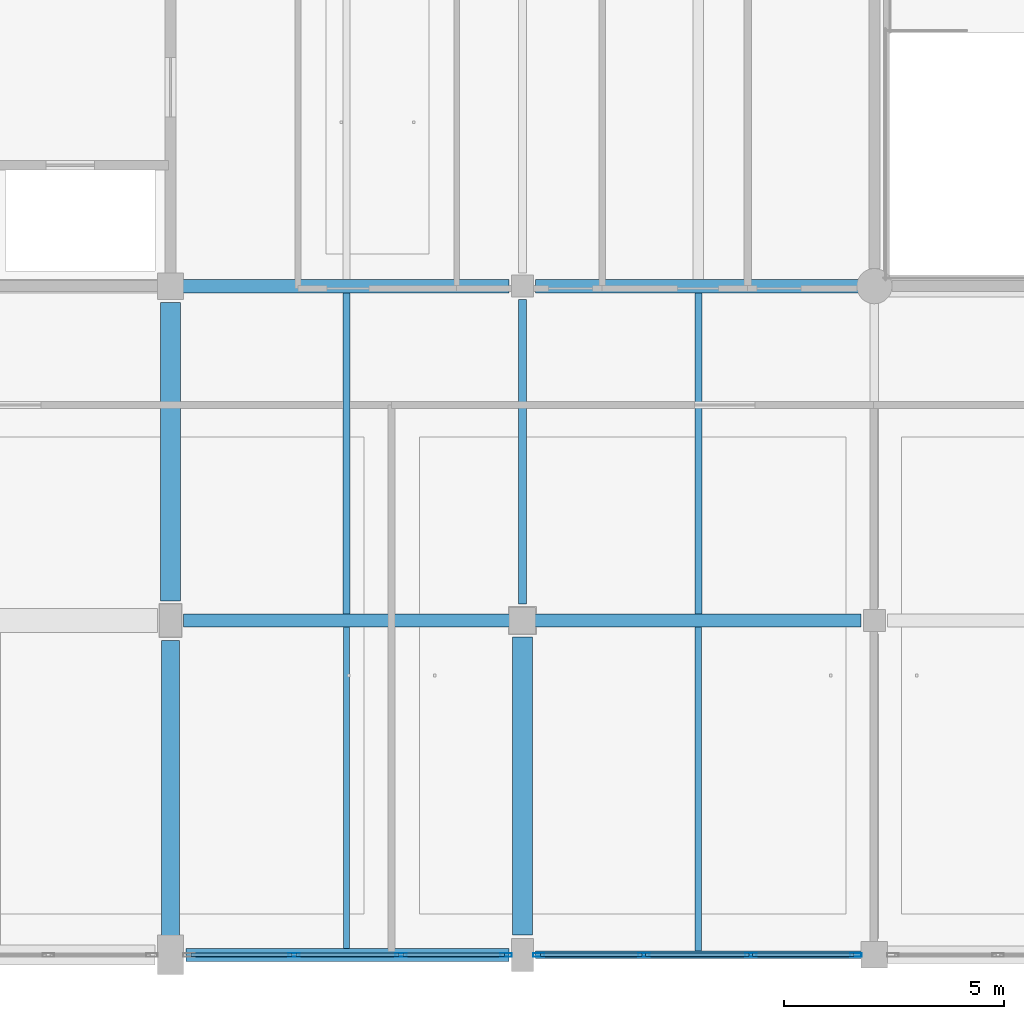
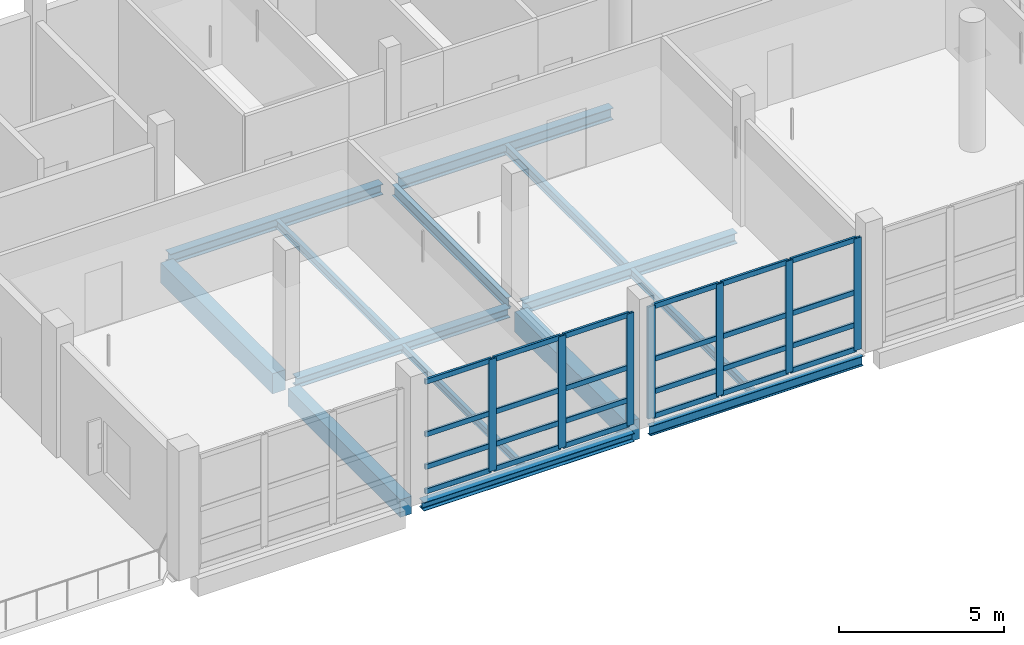
# One storey, part 3 of 18: 31 members, 14 beams, 2 elements without a shape of their own.
"""IFC4 building model written with IfcOpenShell, lengths in metres."""

import ifcopenshell
import ifcopenshell.guid

model = None  # the IFC model being written
_history = None  # IfcOwnerHistory: only IFC2X3 demands one
_inside = {}  # id of a spatial element -> (the spatial element, [elements in it])
_under = {}  # id of a project, library or spatial element -> (it, [spatial elements below it])
_declared = {}  # id of a project -> (the project, [libraries it declares])
_typed = {}  # id of a type object -> (the type object, [elements of that type])
_made_of = {}  # id of a material, layer set ... -> (it, [elements and type objects made of it])


def new_model(schema):
    """Start an empty IFC model of exactly this schema.

    Asked for "IFC4X3", IfcOpenShell would pick the latest addendum, in which some entities
    have other attributes; the version numbers below select the first issue.
    IFC2X3 requires an IfcOwnerHistory on every rooted entity: one is made here for all.
    """
    global model, _history
    if schema == "IFC4X3":
        model = ifcopenshell.file(schema_version=(4, 3, 0, 0))
    else:
        model = ifcopenshell.file(schema=schema)
    _inside.clear()
    _under.clear()
    _declared.clear()
    _typed.clear()
    _made_of.clear()
    _history = None
    if model.schema == "IFC2X3":
        org = make("IfcOrganization", Name="unknown")
        user = make(
            "IfcPersonAndOrganization",
            ThePerson=make("IfcPerson", FamilyName="unknown"),
            TheOrganization=org,
        )
        app = make(
            "IfcApplication",
            ApplicationDeveloper=org,
            Version="unknown",
            ApplicationFullName="unknown",
            ApplicationIdentifier="unknown",
        )
        _history = make(
            "IfcOwnerHistory",
            OwningUser=user,
            OwningApplication=app,
            ChangeAction="ADDED",
            CreationDate=0,
        )
    return model


def make(cls, **values):
    """One entity of the class cls with the attributes given. An attribute that is None is left unset."""
    return model.create_entity(
        cls, **{name: value for name, value in values.items() if value is not None}
    )


def rooted(cls, **values):
    """An entity with a GlobalId (a new one), such as an element, a storey or a relation."""
    return make(cls, GlobalId=ifcopenshell.guid.new(), OwnerHistory=_history, **values)


def si_unit(unit_type, name, prefix=None):
    """IfcSIUnit, for example si_unit("LENGTHUNIT", "METRE", prefix="MILLI")."""
    return make("IfcSIUnit", UnitType=unit_type, Prefix=prefix, Name=name)


def assignment(units):
    """IfcUnitAssignment: the units of a project."""
    return None if units is None else make("IfcUnitAssignment", Units=units)


def point(xyz):
    """IfcCartesianPoint."""
    return None if xyz is None else make("IfcCartesianPoint", Coordinates=xyz)


def direction(xyz):
    """IfcDirection."""
    return None if xyz is None else make("IfcDirection", DirectionRatios=xyz)


def frame(location, z_axis=None, x_axis=None):
    """IfcAxis2Placement3D, a coordinate frame: its origin and axes. An axis left out is left unset."""
    return make(
        "IfcAxis2Placement3D",
        Location=point(location),
        Axis=direction(z_axis),
        RefDirection=direction(x_axis),
    )


def frame_2d(location, x_axis=None):
    """IfcAxis2Placement2D, a coordinate frame in the plane: its origin and x axis."""
    return make(
        "IfcAxis2Placement2D", Location=point(location), RefDirection=direction(x_axis)
    )


def origin():
    """The frame at (0, 0, 0) with its axes left unset."""
    return frame((0.0, 0.0, 0.0))


def origin_2d():
    """The frame at (0, 0) in the plane with its x axis left unset."""
    return frame_2d((0.0, 0.0))


def place(relative_to, where):
    """IfcLocalPlacement: puts the frame where relative to a parent placement (None: the world)."""
    return make(
        "IfcLocalPlacement", PlacementRelTo=relative_to, RelativePlacement=where
    )


def context(
    kind, dimensions, precision=None, world=None, true_north=None, identifier=None
):
    """IfcGeometricRepresentationContext, for example the 3D "Model" context."""
    return make(
        "IfcGeometricRepresentationContext",
        ContextIdentifier=identifier,
        ContextType=kind,
        CoordinateSpaceDimension=dimensions,
        Precision=precision,
        WorldCoordinateSystem=world,
        TrueNorth=true_north,
    )


def subcontext(parent, identifier, kind, view, scale=None):
    """IfcGeometricRepresentationSubContext, for example "Body" below "Model"."""
    return make(
        "IfcGeometricRepresentationSubContext",
        ContextIdentifier=identifier,
        ContextType=kind,
        ParentContext=parent,
        TargetScale=scale,
        TargetView=view,
    )


def project(units=None, contexts=None):
    """IfcProject with its units and contexts."""
    return rooted(
        "IfcProject",
        Name="project",
        RepresentationContexts=contexts,
        UnitsInContext=assignment(units),
    )


def spatial(cls, under=None, at=None, **own):
    """A site, building, storey or space (cls), placed at a placement, below another one or the project."""
    s = rooted(cls, ObjectPlacement=at, **own)
    if under is not None:
        _under.setdefault(under.id(), (under, []))[1].append(s)
    return s


def profile(cls, at=None, kind="AREA", **sizes):
    """A parametric profile (cls). Its sizes go by their IFC names, for example OverallWidth=200.0."""
    return make(cls, ProfileType=kind, Position=at, **sizes)


def rectangle(**sizes):
    """IfcRectangleProfileDef."""
    return profile("IfcRectangleProfileDef", **sizes)


def hollow_rectangle(**sizes):
    """IfcRectangleHollowProfileDef."""
    return profile("IfcRectangleHollowProfileDef", **sizes)


def i_section(**sizes):
    """IfcIShapeProfileDef."""
    return profile("IfcIShapeProfileDef", **sizes)


def extrude(swept, where, along, depth):
    """IfcExtrudedAreaSolid: the profile swept, set in the frame where, extruded along a direction by depth."""
    return make(
        "IfcExtrudedAreaSolid",
        SweptArea=swept,
        Position=where,
        ExtrudedDirection=direction(along),
        Depth=depth,
    )


def shape(context_of_items, identifier, shape_type, items):
    """IfcShapeRepresentation: the items that make up one representation, for example the "Body"."""
    return make(
        "IfcShapeRepresentation",
        ContextOfItems=context_of_items,
        RepresentationIdentifier=identifier,
        RepresentationType=shape_type,
        Items=items,
    )


def material(Name=None, Category=None):
    """IfcMaterial."""
    return make("IfcMaterial", Name=Name, Category=Category)


def material_profile(
    of_material, cross_section, Name=None, Category=None, Priority=None
):
    """IfcMaterialProfile: a cross section and its material."""
    return make(
        "IfcMaterialProfile",
        Name=Name,
        Material=of_material,
        Profile=cross_section,
        Priority=Priority,
        Category=Category,
    )


def profile_set(profiles, Name=None, composite=None):
    """IfcMaterialProfileSet."""
    return make(
        "IfcMaterialProfileSet",
        Name=Name,
        MaterialProfiles=profiles,
        CompositeProfile=composite,
    )


def made_of(thing, what):
    """Note that an element or type object is made of a material, layer set ...; save() writes the relation."""
    if what is not None:
        _made_of.setdefault(what.id(), (what, []))[1].append(thing)
    return thing


def type_object(cls, material=None, **own):
    """A type object (cls), such as IfcWallType, which elements share."""
    return made_of(rooted(cls, **own), material)


def element(
    cls,
    number,
    at=None,
    inside=None,
    cuts=None,
    type_object=None,
    material=None,
    context=None,
    identifier="Body",
    shape_type=None,
    held_by="IfcProductDefinitionShape",
    body=None,
    shapes=None,
    **own,
):
    """One element of the class cls, such as IfcWall. Its Tag is "e" and its number.

    at: its placement. inside: the storey or other place that contains it. cuts: it is an
    opening in that element (IfcRelVoidsElement). A single representation is given by context,
    identifier, shape_type and body (its items); several are given by shapes. held_by: the class
    of the entity that holds the representations. save() writes the other relations.
    """
    e = rooted(cls, Tag="e%d" % number, ObjectPlacement=at, **own)
    if body is not None:
        shapes = [shape(context, identifier, shape_type, body)]
    if shapes is not None:
        e.Representation = make(held_by, Representations=shapes)
    if inside is not None:
        _inside.setdefault(inside.id(), (inside, []))[1].append(e)
    if cuts is not None:
        rooted(
            "IfcRelVoidsElement", RelatingBuildingElement=cuts, RelatedOpeningElement=e
        )
    if type_object is not None:
        _typed.setdefault(type_object.id(), (type_object, []))[1].append(e)
    return made_of(e, material)


def aggregate(whole, parts):
    """IfcRelAggregates: a whole, such as a stair, and the parts it consists of."""
    return rooted("IfcRelAggregates", RelatingObject=whole, RelatedObjects=parts)


def save(model, path):
    """Write the relations noted so far, then the file.

    IfcRelAggregates (storeys below a building ...), IfcRelContainedInSpatialStructure (elements
    in a storey), IfcRelDefinesByType, IfcRelAssociatesMaterial and IfcRelDeclares: one each for
    every whole, place, type object, material and project.
    """
    for whole, parts in _under.values():
        aggregate(whole, parts)
    for where, things in _inside.values():
        rooted(
            "IfcRelContainedInSpatialStructure",
            RelatedElements=things,
            RelatingStructure=where,
        )
    for kind, things in _typed.values():
        rooted("IfcRelDefinesByType", RelatedObjects=things, RelatingType=kind)
    for what, things in _made_of.values():
        rooted("IfcRelAssociatesMaterial", RelatedObjects=things, RelatingMaterial=what)
    for by, libraries in _declared.values():
        rooted("IfcRelDeclares", RelatingContext=by, RelatedDefinitions=libraries)
    model.write(path)


model = new_model("IFC4")

# Units and contexts
model_context = context("Model", 3, precision=1e-05, world=origin(), true_north=direction((0.0, 1.0)))
body_context = subcontext(model_context, "Body", "Model", "MODEL_VIEW")
ifc_project = project(units=[si_unit("LENGTHUNIT", "METRE"), si_unit("AREAUNIT", "SQUARE_METRE"), si_unit("VOLUMEUNIT", "CUBIC_METRE"), si_unit("PLANEANGLEUNIT", "RADIAN"), si_unit("MASSUNIT", "GRAM", prefix="KILO")], contexts=[model_context])

# Site, building, storey
site_placement = place(None, origin())
site = spatial("IfcSite", under=ifc_project, at=site_placement, CompositionType="ELEMENT")
building_placement = place(site_placement, origin())
building = spatial("IfcBuilding", under=site, at=building_placement, Name="Khelvaren Railside Concert Hall", CompositionType="ELEMENT")
storey_placement = place(building_placement, frame((0.0, 0.0, 24.60009765625)))
storey = spatial("IfcBuildingStorey", under=building, at=storey_placement, Name="L05", CompositionType="ELEMENT", Elevation=24.60009765625)

# Beams
ifc_material_1 = material(Name="Steel S355", Category="steel")
ifc_material_profile_1 = material_profile(ifc_material_1, i_section(OverallWidth=0.300048828125, OverallDepth=0.389892578125, WebThickness=0.010986328125, FlangeThickness=0.01904296875, FilletRadius=0.027099609375, at=origin_2d()), Name="HEA 400")
ifc_profile_set_1 = profile_set([ifc_material_profile_1], Name="Steel S355")
beam_type_1 = type_object("IfcBeamType", Name="BM23", PredefinedType="BEAM", material=ifc_profile_set_1)
for number, where, z_axis, x_axis, name in (
    (1, (160.25, 98.800048828125, -0.455078125), (1.0, 0.0, 0.0), (0.0, 1.0, 0.0), "V5 L05 Beam X3.5"),
    (2, (152.25, 106.39990234375, -0.455078125), (1.0, 0.0, 0.0), (0.0, 1.0, 0.0), "V5 L05 Beam X4.4"),
):
    element("IfcBeam", number, at=place(storey_placement, frame(where, z_axis=z_axis, x_axis=x_axis)), inside=storey, type_object=beam_type_1, Name=name, PredefinedType="BEAM", context=body_context, shape_type="SweptSolid", body=[
        extrude(i_section(OverallWidth=0.300048828125, OverallDepth=0.389892578125, WebThickness=0.010986328125, FlangeThickness=0.01904296875, FilletRadius=0.027099609375, at=origin_2d()), origin(), (0.0, 0.0, 1.0), 7.449951171875),
    ])
ifc_material_profile_2 = material_profile(ifc_material_1, i_section(OverallWidth=0.179931640625, OverallDepth=0.39990234375, WebThickness=0.008544921875, FlangeThickness=0.013427734375, FilletRadius=0.02099609375, at=origin_2d()), Name="IPE 400")
ifc_profile_set_2 = profile_set([ifc_material_profile_2], Name="Steel S355")
beam_type_2 = type_object("IfcBeamType", Name="BM29", PredefinedType="BEAM", material=ifc_profile_set_2)
beam_1_placement = place(storey_placement, frame((160.0, 99.175048828125, -0.460205078125), z_axis=(0.0, 1.0, 0.0), x_axis=(-1.0, 0.0, 0.0)))
element("IfcBeam", 3, at=beam_1_placement, inside=storey, type_object=beam_type_2, Name="V5 L05 Beam Y5.3", PredefinedType="BEAM", context=body_context, shape_type="SweptSolid", body=[
    extrude(i_section(OverallWidth=0.179931640625, OverallDepth=0.39990234375, WebThickness=0.008544921875, FlangeThickness=0.013427734375, FilletRadius=0.02099609375, at=origin_2d()), origin(), (0.0, 0.0, 1.0), 6.925048828125),
])
ifc_material_2 = material(Name="Concrete C40/50", Category="concrete")
ifc_material_profile_3 = material_profile(ifc_material_2, rectangle(XDim=0.39990234375, YDim=0.64990234375, at=origin_2d()), Name="RCB 400x650")
ifc_profile_set_3 = profile_set([ifc_material_profile_3], Name="Concrete C40/50")
beam_type_3 = type_object("IfcBeamType", Name="BM33", PredefinedType="BEAM", material=ifc_profile_set_3)
beam_2_placement = place(storey_placement, frame((152.0, 91.550048828125, -0.585205078125), z_axis=(0.0, 1.0, 0.0), x_axis=(-1.0, 0.0, 0.0)))
element("IfcBeam", 4, at=beam_2_placement, inside=storey, type_object=beam_type_3, Name="V5 L05 Beam Y4.2", PredefinedType="BEAM", context=body_context, shape_type="SweptSolid", body=[
    extrude(rectangle(XDim=0.39990234375, YDim=0.64990234375, at=origin_2d()), origin(), (0.0, 0.0, 1.0), 6.800048828125),
])
ifc_material_profile_4 = material_profile(ifc_material_1, i_section(OverallWidth=0.300048828125, OverallDepth=0.35009765625, WebThickness=0.010009765625, FlangeThickness=0.017578125, FilletRadius=0.027099609375, at=origin_2d()), Name="HEA 360")
ifc_profile_set_4 = profile_set([ifc_material_profile_4], Name="Steel S355")
beam_type_4 = type_object("IfcBeamType", Name="BM73", PredefinedType="BEAM", material=ifc_profile_set_4)
beam_3_placement = place(storey_placement, frame((152.300048828125, 98.800048828125, -0.43505859375), z_axis=(1.0, 0.0, 0.0), x_axis=(0.0, 1.0, 0.0)))
element("IfcBeam", 5, at=beam_3_placement, inside=storey, type_object=beam_type_4, Name="V5 L05 Beam X3.4", PredefinedType="BEAM", context=body_context, shape_type="SweptSolid", body=[
    extrude(i_section(OverallWidth=0.300048828125, OverallDepth=0.35009765625, WebThickness=0.010009765625, FlangeThickness=0.017578125, FilletRadius=0.027099609375, at=origin_2d()), origin(), (0.0, 0.0, 1.0), 7.449951171875),
])
ifc_material_profile_5 = material_profile(ifc_material_2, rectangle(XDim=0.449951171875, YDim=0.75, at=origin_2d()), Name="RCB 450x750")
ifc_profile_set_5 = profile_set([ifc_material_profile_5], Name="Concrete C40/50")
beam_type_5 = type_object("IfcBeamType", Name="BM83", PredefinedType="BEAM", material=ifc_profile_set_5)
beam_4_placement = place(storey_placement, frame((152.0, 99.25, -0.635009765625), z_axis=(0.0, 1.0, 0.0), x_axis=(-1.0, 0.0, 0.0)))
element("IfcBeam", 6, at=beam_4_placement, inside=storey, type_object=beam_type_5, Name="V5 L05 Beam Y4.3", PredefinedType="BEAM", context=body_context, shape_type="SweptSolid", body=[
    extrude(rectangle(XDim=0.449951171875, YDim=0.75, at=origin_2d()), origin(), (0.0, 0.0, 1.0), 6.77490234375),
])
beam_5_placement = place(storey_placement, frame((160.0, 91.64990234375, -0.635009765625), z_axis=(0.0, 1.0, 0.0), x_axis=(-1.0, 0.0, 0.0)))
element("IfcBeam", 7, at=beam_5_placement, inside=storey, type_object=beam_type_5, Name="V5 L05 Beam Y5.2", PredefinedType="BEAM", context=body_context, shape_type="SweptSolid", body=[
    extrude(rectangle(XDim=0.449951171875, YDim=0.75, at=origin_2d()), origin(), (0.0, 0.0, 1.0), 6.775146484375),
])
ifc_material_profile_6 = material_profile(ifc_material_1, i_section(OverallWidth=0.300048828125, OverallDepth=0.43994140625, WebThickness=0.011474609375, FlangeThickness=0.02099609375, FilletRadius=0.027099609375, at=origin_2d()), Name="HEA 450")
ifc_profile_set_6 = profile_set([ifc_material_profile_6], Name="Steel S355")
beam_type_6 = type_object("IfcBeamType", Name="BM89", PredefinedType="BEAM", material=ifc_profile_set_6)
beam_6_placement = place(storey_placement, frame((160.300048828125, 106.39990234375, -0.47998046875), z_axis=(1.0, 0.0, 0.0), x_axis=(0.0, 1.0, 0.0)))
element("IfcBeam", 8, at=beam_6_placement, inside=storey, type_object=beam_type_6, Name="V5 L05 Beam X4.5", PredefinedType="BEAM", context=body_context, shape_type="SweptSolid", body=[
    extrude(i_section(OverallWidth=0.300048828125, OverallDepth=0.43994140625, WebThickness=0.011474609375, FlangeThickness=0.02099609375, FilletRadius=0.027099609375, at=origin_2d()), origin(), (0.0, 0.0, 1.0), 7.449951171875),
])

# Curtain wall, members
ifc_material_3 = material(Name="Acoustic laminated crystal facade glass", Category="glass")
curtain_wall_type_1 = type_object("IfcCurtainWallType", Name="CW66", PredefinedType="USERDEFINED", material=ifc_material_3)
curtain_wall_1_placement = place(storey_placement, origin())
curtain_wall_1 = element("IfcCurtainWall", 9, at=curtain_wall_1_placement, inside=storey, type_object=curtain_wall_type_1, Name="Unitised Curtain Wall CW-V5-L05-S-152", ObjectType="UNITISED CURTAIN WALL", PredefinedType="USERDEFINED")
ifc_material_4 = material(Name="Anodised architectural aluminium 6063-T6", Category="aluminium")
ifc_material_profile_7 = material_profile(ifc_material_4, hollow_rectangle(XDim=0.0849609375, YDim=0.260009765625, WallThickness=0.0048828125, InnerFilletRadius=0.0029296875, OuterFilletRadius=0.0048828125, at=origin_2d()), Name="CWM 85x260x5")
ifc_profile_set_7 = profile_set([ifc_material_profile_7], Name="Anodised architectural aluminium 6063-T6")
member_type_1 = type_object("IfcMemberType", Name="CWM40", PredefinedType="MULLION", material=ifc_profile_set_7)
member_1_placement = place(storey_placement, frame((159.6298828125, 91.199951171875, 0.0), z_axis=(0.0, 0.0, 1.0), x_axis=(0.0, -1.0, 0.0)))
member_1 = element("IfcMember", 10, at=member_1_placement, type_object=member_type_1, Name="CW66 mullion 1", PredefinedType="MULLION", context=body_context, shape_type="SweptSolid", body=[
    extrude(hollow_rectangle(XDim=0.0849609375, YDim=0.260009765625, WallThickness=0.0048828125, InnerFilletRadius=0.0029296875, OuterFilletRadius=0.0048828125, at=origin_2d()), origin(), (0.0, 0.0, 1.0), 4.139892578125),
])
member_2_placement = place(storey_placement, frame((157.24072265625, 91.199951171875, 0.0), z_axis=(0.0, 0.0, 1.0), x_axis=(0.0, -1.0, 0.0)))
member_2 = element("IfcMember", 11, at=member_2_placement, type_object=member_type_1, Name="CW66 mullion 2", PredefinedType="MULLION", context=body_context, shape_type="SweptSolid", body=[
    extrude(hollow_rectangle(XDim=0.0849609375, YDim=0.260009765625, WallThickness=0.0048828125, InnerFilletRadius=0.0029296875, OuterFilletRadius=0.0048828125, at=origin_2d()), origin(), (0.0, 0.0, 1.0), 4.139892578125),
])
member_3_placement = place(storey_placement, frame((154.80908203125, 91.199951171875, 0.0), z_axis=(0.0, 0.0, 1.0), x_axis=(0.0, -1.0, 0.0)))
member_3 = element("IfcMember", 12, at=member_3_placement, type_object=member_type_1, Name="CW66 mullion 3", PredefinedType="MULLION", context=body_context, shape_type="SweptSolid", body=[
    extrude(hollow_rectangle(XDim=0.0849609375, YDim=0.260009765625, WallThickness=0.0048828125, InnerFilletRadius=0.0029296875, OuterFilletRadius=0.0048828125, at=origin_2d()), origin(), (0.0, 0.0, 1.0), 4.139892578125),
])

curtain_wall_type_2 = type_object("IfcCurtainWallType", Name="CW21", PredefinedType="USERDEFINED", material=ifc_material_3)
curtain_wall_2_placement = place(storey_placement, origin())
curtain_wall_2 = element("IfcCurtainWall", 13, at=curtain_wall_2_placement, inside=storey, type_object=curtain_wall_type_2, Name="Unitised Curtain Wall CW-V5-L05-S-160", ObjectType="UNITISED CURTAIN WALL", PredefinedType="USERDEFINED")
member_4_placement = place(storey_placement, frame((167.580078125, 91.199951171875, 0.0), z_axis=(0.0, 0.0, 1.0), x_axis=(0.0, -1.0, 0.0)))
member_4 = element("IfcMember", 14, at=member_4_placement, type_object=member_type_1, Name="CW21 mullion 1", PredefinedType="MULLION", context=body_context, shape_type="SweptSolid", body=[
    extrude(hollow_rectangle(XDim=0.0849609375, YDim=0.260009765625, WallThickness=0.0048828125, InnerFilletRadius=0.0029296875, OuterFilletRadius=0.0048828125, at=origin_2d()), origin(), (0.0, 0.0, 1.0), 4.139892578125),
])
member_5_placement = place(storey_placement, frame((165.19091796875, 91.199951171875, 0.0), z_axis=(0.0, 0.0, 1.0), x_axis=(0.0, -1.0, 0.0)))
member_5 = element("IfcMember", 15, at=member_5_placement, type_object=member_type_1, Name="CW21 mullion 2", PredefinedType="MULLION", context=body_context, shape_type="SweptSolid", body=[
    extrude(hollow_rectangle(XDim=0.0849609375, YDim=0.260009765625, WallThickness=0.0048828125, InnerFilletRadius=0.0029296875, OuterFilletRadius=0.0048828125, at=origin_2d()), origin(), (0.0, 0.0, 1.0), 4.139892578125),
])
member_6_placement = place(storey_placement, frame((162.75927734375, 91.199951171875, 0.0), z_axis=(0.0, 0.0, 1.0), x_axis=(0.0, -1.0, 0.0)))
member_6 = element("IfcMember", 16, at=member_6_placement, type_object=member_type_1, Name="CW21 mullion 3", PredefinedType="MULLION", context=body_context, shape_type="SweptSolid", body=[
    extrude(hollow_rectangle(XDim=0.0849609375, YDim=0.260009765625, WallThickness=0.0048828125, InnerFilletRadius=0.0029296875, OuterFilletRadius=0.0048828125, at=origin_2d()), origin(), (0.0, 0.0, 1.0), 4.139892578125),
])
member_7_placement = place(storey_placement, frame((160.3701171875, 91.199951171875, 0.0), z_axis=(0.0, 0.0, 1.0), x_axis=(0.0, -1.0, 0.0)))
member_7 = element("IfcMember", 17, at=member_7_placement, type_object=member_type_1, Name="CW21 mullion 4", PredefinedType="MULLION", context=body_context, shape_type="SweptSolid", body=[
    extrude(hollow_rectangle(XDim=0.0849609375, YDim=0.260009765625, WallThickness=0.0048828125, InnerFilletRadius=0.0029296875, OuterFilletRadius=0.0048828125, at=origin_2d()), origin(), (0.0, 0.0, 1.0), 4.139892578125),
])

# Member
ifc_material_profile_8 = material_profile(ifc_material_4, hollow_rectangle(XDim=0.0849609375, YDim=0.18994140625, WallThickness=0.0048828125, InnerFilletRadius=0.0029296875, OuterFilletRadius=0.0048828125, at=origin_2d()), Name="CWT 85x190x5")
ifc_profile_set_8 = profile_set([ifc_material_profile_8], Name="Anodised architectural aluminium 6063-T6")
member_type_2 = type_object("IfcMemberType", Name="CWT31", PredefinedType="USERDEFINED", material=ifc_profile_set_8)
member_8_placement = place(storey_placement, frame((159.58740234375, 91.199951171875, 0.04248046875), z_axis=(-1.0, 0.0, 0.0), x_axis=(0.0, -1.0, 0.0)))
member_8 = element("IfcMember", 18, at=member_8_placement, type_object=member_type_2, Name="CW66 transom 1.1", ObjectType="TRANSOM", PredefinedType="USERDEFINED", context=body_context, shape_type="SweptSolid", body=[
    extrude(hollow_rectangle(XDim=0.0849609375, YDim=0.18994140625, WallThickness=0.0048828125, InnerFilletRadius=0.0029296875, OuterFilletRadius=0.0048828125, at=origin_2d()), origin(), (0.0, 0.0, 1.0), 2.303955078125),
])

member_9_placement = place(storey_placement, frame((159.58740234375, 91.199951171875, 0.949951171875), z_axis=(-1.0, 0.0, 0.0), x_axis=(0.0, -1.0, 0.0)))
member_9 = element("IfcMember", 19, at=member_9_placement, type_object=member_type_2, Name="CW66 transom 1.2", ObjectType="TRANSOM", PredefinedType="USERDEFINED", context=body_context, shape_type="SweptSolid", body=[
    extrude(hollow_rectangle(XDim=0.0849609375, YDim=0.18994140625, WallThickness=0.0048828125, InnerFilletRadius=0.0029296875, OuterFilletRadius=0.0048828125, at=origin_2d()), origin(), (0.0, 0.0, 1.0), 2.303955078125),
])

member_10_placement = place(storey_placement, frame((159.58740234375, 91.199951171875, 2.152587890625), z_axis=(-1.0, 0.0, 0.0), x_axis=(0.0, -1.0, 0.0)))
member_10 = element("IfcMember", 20, at=member_10_placement, type_object=member_type_2, Name="CW66 transom 1.3", ObjectType="TRANSOM", PredefinedType="USERDEFINED", context=body_context, shape_type="SweptSolid", body=[
    extrude(hollow_rectangle(XDim=0.0849609375, YDim=0.18994140625, WallThickness=0.0048828125, InnerFilletRadius=0.0029296875, OuterFilletRadius=0.0048828125, at=origin_2d()), origin(), (0.0, 0.0, 1.0), 2.303955078125),
])

member_11_placement = place(storey_placement, frame((159.58740234375, 91.199951171875, 4.097412109375), z_axis=(-1.0, 0.0, 0.0), x_axis=(0.0, -1.0, 0.0)))
member_11 = element("IfcMember", 21, at=member_11_placement, type_object=member_type_2, Name="CW66 transom 1.4", ObjectType="TRANSOM", PredefinedType="USERDEFINED", context=body_context, shape_type="SweptSolid", body=[
    extrude(hollow_rectangle(XDim=0.0849609375, YDim=0.18994140625, WallThickness=0.0048828125, InnerFilletRadius=0.0029296875, OuterFilletRadius=0.0048828125, at=origin_2d()), origin(), (0.0, 0.0, 1.0), 2.303955078125),
])

member_12_placement = place(storey_placement, frame((157.1982421875, 91.199951171875, 0.04248046875), z_axis=(-1.0, 0.0, 0.0), x_axis=(0.0, -1.0, 0.0)))
member_12 = element("IfcMember", 22, at=member_12_placement, type_object=member_type_2, Name="CW66 transom 2.1", ObjectType="TRANSOM", PredefinedType="USERDEFINED", context=body_context, shape_type="SweptSolid", body=[
    extrude(hollow_rectangle(XDim=0.0849609375, YDim=0.18994140625, WallThickness=0.0048828125, InnerFilletRadius=0.0029296875, OuterFilletRadius=0.0048828125, at=origin_2d()), origin(), (0.0, 0.0, 1.0), 2.3466796875),
])

member_13_placement = place(storey_placement, frame((157.1982421875, 91.199951171875, 0.949951171875), z_axis=(-1.0, 0.0, 0.0), x_axis=(0.0, -1.0, 0.0)))
member_13 = element("IfcMember", 23, at=member_13_placement, type_object=member_type_2, Name="CW66 transom 2.2", ObjectType="TRANSOM", PredefinedType="USERDEFINED", context=body_context, shape_type="SweptSolid", body=[
    extrude(hollow_rectangle(XDim=0.0849609375, YDim=0.18994140625, WallThickness=0.0048828125, InnerFilletRadius=0.0029296875, OuterFilletRadius=0.0048828125, at=origin_2d()), origin(), (0.0, 0.0, 1.0), 2.3466796875),
])

member_14_placement = place(storey_placement, frame((157.1982421875, 91.199951171875, 2.152587890625), z_axis=(-1.0, 0.0, 0.0), x_axis=(0.0, -1.0, 0.0)))
member_14 = element("IfcMember", 24, at=member_14_placement, type_object=member_type_2, Name="CW66 transom 2.3", ObjectType="TRANSOM", PredefinedType="USERDEFINED", context=body_context, shape_type="SweptSolid", body=[
    extrude(hollow_rectangle(XDim=0.0849609375, YDim=0.18994140625, WallThickness=0.0048828125, InnerFilletRadius=0.0029296875, OuterFilletRadius=0.0048828125, at=origin_2d()), origin(), (0.0, 0.0, 1.0), 2.3466796875),
])

member_15_placement = place(storey_placement, frame((157.1982421875, 91.199951171875, 4.097412109375), z_axis=(-1.0, 0.0, 0.0), x_axis=(0.0, -1.0, 0.0)))
member_15 = element("IfcMember", 25, at=member_15_placement, type_object=member_type_2, Name="CW66 transom 2.4", ObjectType="TRANSOM", PredefinedType="USERDEFINED", context=body_context, shape_type="SweptSolid", body=[
    extrude(hollow_rectangle(XDim=0.0849609375, YDim=0.18994140625, WallThickness=0.0048828125, InnerFilletRadius=0.0029296875, OuterFilletRadius=0.0048828125, at=origin_2d()), origin(), (0.0, 0.0, 1.0), 2.3466796875),
])

member_16_placement = place(storey_placement, frame((154.7666015625, 91.199951171875, 0.04248046875), z_axis=(-1.0, 0.0, 0.0), x_axis=(0.0, -1.0, 0.0)))
member_16 = element("IfcMember", 26, at=member_16_placement, type_object=member_type_2, Name="CW66 transom 3.1", ObjectType="TRANSOM", PredefinedType="USERDEFINED", context=body_context, shape_type="SweptSolid", body=[
    extrude(hollow_rectangle(XDim=0.0849609375, YDim=0.18994140625, WallThickness=0.0048828125, InnerFilletRadius=0.0029296875, OuterFilletRadius=0.0048828125, at=origin_2d()), origin(), (0.0, 0.0, 1.0), 2.30419921875),
])

member_17_placement = place(storey_placement, frame((154.7666015625, 91.199951171875, 0.949951171875), z_axis=(-1.0, 0.0, 0.0), x_axis=(0.0, -1.0, 0.0)))
member_17 = element("IfcMember", 27, at=member_17_placement, type_object=member_type_2, Name="CW66 transom 3.2", ObjectType="TRANSOM", PredefinedType="USERDEFINED", context=body_context, shape_type="SweptSolid", body=[
    extrude(hollow_rectangle(XDim=0.0849609375, YDim=0.18994140625, WallThickness=0.0048828125, InnerFilletRadius=0.0029296875, OuterFilletRadius=0.0048828125, at=origin_2d()), origin(), (0.0, 0.0, 1.0), 2.30419921875),
])

member_18_placement = place(storey_placement, frame((154.7666015625, 91.199951171875, 2.152587890625), z_axis=(-1.0, 0.0, 0.0), x_axis=(0.0, -1.0, 0.0)))
member_18 = element("IfcMember", 28, at=member_18_placement, type_object=member_type_2, Name="CW66 transom 3.3", ObjectType="TRANSOM", PredefinedType="USERDEFINED", context=body_context, shape_type="SweptSolid", body=[
    extrude(hollow_rectangle(XDim=0.0849609375, YDim=0.18994140625, WallThickness=0.0048828125, InnerFilletRadius=0.0029296875, OuterFilletRadius=0.0048828125, at=origin_2d()), origin(), (0.0, 0.0, 1.0), 2.30419921875),
])

member_19_placement = place(storey_placement, frame((154.7666015625, 91.199951171875, 4.097412109375), z_axis=(-1.0, 0.0, 0.0), x_axis=(0.0, -1.0, 0.0)))
member_19 = element("IfcMember", 29, at=member_19_placement, type_object=member_type_2, Name="CW66 transom 3.4", ObjectType="TRANSOM", PredefinedType="USERDEFINED", context=body_context, shape_type="SweptSolid", body=[
    extrude(hollow_rectangle(XDim=0.0849609375, YDim=0.18994140625, WallThickness=0.0048828125, InnerFilletRadius=0.0029296875, OuterFilletRadius=0.0048828125, at=origin_2d()), origin(), (0.0, 0.0, 1.0), 2.30419921875),
])

aggregate(curtain_wall_1, [member_1, member_2, member_3, member_8, member_9, member_10, member_11, member_12, member_13, member_14, member_15, member_16, member_17, member_18, member_19])

member_20_placement = place(storey_placement, frame((167.53759765625, 91.199951171875, 0.04248046875), z_axis=(-1.0, 0.0, 0.0), x_axis=(0.0, -1.0, 0.0)))
member_20 = element("IfcMember", 30, at=member_20_placement, type_object=member_type_2, Name="CW21 transom 1.1", ObjectType="TRANSOM", PredefinedType="USERDEFINED", context=body_context, shape_type="SweptSolid", body=[
    extrude(hollow_rectangle(XDim=0.0849609375, YDim=0.18994140625, WallThickness=0.0048828125, InnerFilletRadius=0.0029296875, OuterFilletRadius=0.0048828125, at=origin_2d()), origin(), (0.0, 0.0, 1.0), 2.30419921875),
])

member_21_placement = place(storey_placement, frame((167.53759765625, 91.199951171875, 0.949951171875), z_axis=(-1.0, 0.0, 0.0), x_axis=(0.0, -1.0, 0.0)))
member_21 = element("IfcMember", 31, at=member_21_placement, type_object=member_type_2, Name="CW21 transom 1.2", ObjectType="TRANSOM", PredefinedType="USERDEFINED", context=body_context, shape_type="SweptSolid", body=[
    extrude(hollow_rectangle(XDim=0.0849609375, YDim=0.18994140625, WallThickness=0.0048828125, InnerFilletRadius=0.0029296875, OuterFilletRadius=0.0048828125, at=origin_2d()), origin(), (0.0, 0.0, 1.0), 2.30419921875),
])

member_22_placement = place(storey_placement, frame((167.53759765625, 91.199951171875, 2.152587890625), z_axis=(-1.0, 0.0, 0.0), x_axis=(0.0, -1.0, 0.0)))
member_22 = element("IfcMember", 32, at=member_22_placement, type_object=member_type_2, Name="CW21 transom 1.3", ObjectType="TRANSOM", PredefinedType="USERDEFINED", context=body_context, shape_type="SweptSolid", body=[
    extrude(hollow_rectangle(XDim=0.0849609375, YDim=0.18994140625, WallThickness=0.0048828125, InnerFilletRadius=0.0029296875, OuterFilletRadius=0.0048828125, at=origin_2d()), origin(), (0.0, 0.0, 1.0), 2.30419921875),
])

member_23_placement = place(storey_placement, frame((167.53759765625, 91.199951171875, 4.097412109375), z_axis=(-1.0, 0.0, 0.0), x_axis=(0.0, -1.0, 0.0)))
member_23 = element("IfcMember", 33, at=member_23_placement, type_object=member_type_2, Name="CW21 transom 1.4", ObjectType="TRANSOM", PredefinedType="USERDEFINED", context=body_context, shape_type="SweptSolid", body=[
    extrude(hollow_rectangle(XDim=0.0849609375, YDim=0.18994140625, WallThickness=0.0048828125, InnerFilletRadius=0.0029296875, OuterFilletRadius=0.0048828125, at=origin_2d()), origin(), (0.0, 0.0, 1.0), 2.30419921875),
])

member_24_placement = place(storey_placement, frame((165.1484375, 91.199951171875, 0.04248046875), z_axis=(-1.0, 0.0, 0.0), x_axis=(0.0, -1.0, 0.0)))
member_24 = element("IfcMember", 34, at=member_24_placement, type_object=member_type_2, Name="CW21 transom 2.1", ObjectType="TRANSOM", PredefinedType="USERDEFINED", context=body_context, shape_type="SweptSolid", body=[
    extrude(hollow_rectangle(XDim=0.0849609375, YDim=0.18994140625, WallThickness=0.0048828125, InnerFilletRadius=0.0029296875, OuterFilletRadius=0.0048828125, at=origin_2d()), origin(), (0.0, 0.0, 1.0), 2.3466796875),
])

member_25_placement = place(storey_placement, frame((165.1484375, 91.199951171875, 0.949951171875), z_axis=(-1.0, 0.0, 0.0), x_axis=(0.0, -1.0, 0.0)))
member_25 = element("IfcMember", 35, at=member_25_placement, type_object=member_type_2, Name="CW21 transom 2.2", ObjectType="TRANSOM", PredefinedType="USERDEFINED", context=body_context, shape_type="SweptSolid", body=[
    extrude(hollow_rectangle(XDim=0.0849609375, YDim=0.18994140625, WallThickness=0.0048828125, InnerFilletRadius=0.0029296875, OuterFilletRadius=0.0048828125, at=origin_2d()), origin(), (0.0, 0.0, 1.0), 2.3466796875),
])

member_26_placement = place(storey_placement, frame((165.1484375, 91.199951171875, 2.152587890625), z_axis=(-1.0, 0.0, 0.0), x_axis=(0.0, -1.0, 0.0)))
member_26 = element("IfcMember", 36, at=member_26_placement, type_object=member_type_2, Name="CW21 transom 2.3", ObjectType="TRANSOM", PredefinedType="USERDEFINED", context=body_context, shape_type="SweptSolid", body=[
    extrude(hollow_rectangle(XDim=0.0849609375, YDim=0.18994140625, WallThickness=0.0048828125, InnerFilletRadius=0.0029296875, OuterFilletRadius=0.0048828125, at=origin_2d()), origin(), (0.0, 0.0, 1.0), 2.3466796875),
])

member_27_placement = place(storey_placement, frame((165.1484375, 91.199951171875, 4.097412109375), z_axis=(-1.0, 0.0, 0.0), x_axis=(0.0, -1.0, 0.0)))
member_27 = element("IfcMember", 37, at=member_27_placement, type_object=member_type_2, Name="CW21 transom 2.4", ObjectType="TRANSOM", PredefinedType="USERDEFINED", context=body_context, shape_type="SweptSolid", body=[
    extrude(hollow_rectangle(XDim=0.0849609375, YDim=0.18994140625, WallThickness=0.0048828125, InnerFilletRadius=0.0029296875, OuterFilletRadius=0.0048828125, at=origin_2d()), origin(), (0.0, 0.0, 1.0), 2.3466796875),
])

member_28_placement = place(storey_placement, frame((162.716552734375, 91.199951171875, 0.04248046875), z_axis=(-1.0, 0.0, 0.0), x_axis=(0.0, -1.0, 0.0)))
member_28 = element("IfcMember", 38, at=member_28_placement, type_object=member_type_2, Name="CW21 transom 3.1", ObjectType="TRANSOM", PredefinedType="USERDEFINED", context=body_context, shape_type="SweptSolid", body=[
    extrude(hollow_rectangle(XDim=0.0849609375, YDim=0.18994140625, WallThickness=0.0048828125, InnerFilletRadius=0.0029296875, OuterFilletRadius=0.0048828125, at=origin_2d()), origin(), (0.0, 0.0, 1.0), 2.303955078125),
])

member_29_placement = place(storey_placement, frame((162.716552734375, 91.199951171875, 0.949951171875), z_axis=(-1.0, 0.0, 0.0), x_axis=(0.0, -1.0, 0.0)))
member_29 = element("IfcMember", 39, at=member_29_placement, type_object=member_type_2, Name="CW21 transom 3.2", ObjectType="TRANSOM", PredefinedType="USERDEFINED", context=body_context, shape_type="SweptSolid", body=[
    extrude(hollow_rectangle(XDim=0.0849609375, YDim=0.18994140625, WallThickness=0.0048828125, InnerFilletRadius=0.0029296875, OuterFilletRadius=0.0048828125, at=origin_2d()), origin(), (0.0, 0.0, 1.0), 2.303955078125),
])

member_30_placement = place(storey_placement, frame((162.716552734375, 91.199951171875, 2.152587890625), z_axis=(-1.0, 0.0, 0.0), x_axis=(0.0, -1.0, 0.0)))
member_30 = element("IfcMember", 40, at=member_30_placement, type_object=member_type_2, Name="CW21 transom 3.3", ObjectType="TRANSOM", PredefinedType="USERDEFINED", context=body_context, shape_type="SweptSolid", body=[
    extrude(hollow_rectangle(XDim=0.0849609375, YDim=0.18994140625, WallThickness=0.0048828125, InnerFilletRadius=0.0029296875, OuterFilletRadius=0.0048828125, at=origin_2d()), origin(), (0.0, 0.0, 1.0), 2.303955078125),
])

member_31_placement = place(storey_placement, frame((162.716552734375, 91.199951171875, 4.097412109375), z_axis=(-1.0, 0.0, 0.0), x_axis=(0.0, -1.0, 0.0)))
member_31 = element("IfcMember", 41, at=member_31_placement, type_object=member_type_2, Name="CW21 transom 3.4", ObjectType="TRANSOM", PredefinedType="USERDEFINED", context=body_context, shape_type="SweptSolid", body=[
    extrude(hollow_rectangle(XDim=0.0849609375, YDim=0.18994140625, WallThickness=0.0048828125, InnerFilletRadius=0.0029296875, OuterFilletRadius=0.0048828125, at=origin_2d()), origin(), (0.0, 0.0, 1.0), 2.303955078125),
])

aggregate(curtain_wall_2, [member_4, member_5, member_6, member_7, member_20, member_21, member_22, member_23, member_24, member_25, member_26, member_27, member_28, member_29, member_30, member_31])

# Beams
ifc_material_profile_9 = material_profile(ifc_material_1, i_section(OverallWidth=0.14990234375, OverallDepth=0.300048828125, WebThickness=0.007080078125, FlangeThickness=0.0107421875, FilletRadius=0.014892578125, at=origin_2d()), Name="IPE 300")
ifc_profile_set_9 = profile_set([ifc_material_profile_9], Name="Steel S355")
beam_type_7 = type_object("IfcBeamType", Name="JS26", PredefinedType="JOIST", material=ifc_profile_set_9)
beam_7_placement = place(storey_placement, frame((156.0, 98.949951171875, -0.41015625), z_axis=(0.0, 1.0, 0.0), x_axis=(-1.0, 0.0, 0.0)))
element("IfcBeam", 42, at=beam_7_placement, inside=storey, type_object=beam_type_7, Name="V5 L05 Secondary Joist 4.3", PredefinedType="JOIST", context=body_context, shape_type="SweptSolid", body=[
    extrude(i_section(OverallWidth=0.14990234375, OverallDepth=0.300048828125, WebThickness=0.007080078125, FlangeThickness=0.0107421875, FilletRadius=0.014892578125, at=origin_2d()), origin(), (0.0, 0.0, 1.0), 7.300048828125),
])
beam_8_placement = place(storey_placement, frame((164.0, 91.284912109375, -0.41015625), z_axis=(0.0, 1.0, 0.0), x_axis=(-1.0, 0.0, 0.0)))
element("IfcBeam", 43, at=beam_8_placement, inside=storey, type_object=beam_type_7, Name="V5 L05 Secondary Joist 5.2", PredefinedType="JOIST", context=body_context, shape_type="SweptSolid", body=[
    extrude(i_section(OverallWidth=0.14990234375, OverallDepth=0.300048828125, WebThickness=0.007080078125, FlangeThickness=0.0107421875, FilletRadius=0.014892578125, at=origin_2d()), origin(), (0.0, 0.0, 1.0), 7.364990234375),
])
ifc_material_profile_10 = material_profile(ifc_material_1, i_section(OverallWidth=0.159912109375, OverallDepth=0.330078125, WebThickness=0.007568359375, FlangeThickness=0.011474609375, FilletRadius=0.01806640625, at=origin_2d()), Name="IPE 330")
ifc_profile_set_10 = profile_set([ifc_material_profile_10], Name="Steel S355")
beam_type_8 = type_object("IfcBeamType", Name="JS65", PredefinedType="JOIST", material=ifc_profile_set_10)
beam_9_placement = place(storey_placement, frame((164.0, 98.949951171875, -0.425048828125), z_axis=(0.0, 1.0, 0.0), x_axis=(-1.0, 0.0, 0.0)))
element("IfcBeam", 44, at=beam_9_placement, inside=storey, type_object=beam_type_8, Name="V5 L05 Secondary Joist 5.3", PredefinedType="JOIST", context=body_context, shape_type="SweptSolid", body=[
    extrude(i_section(OverallWidth=0.159912109375, OverallDepth=0.330078125, WebThickness=0.007568359375, FlangeThickness=0.011474609375, FilletRadius=0.01806640625, at=origin_2d()), origin(), (0.0, 0.0, 1.0), 7.300048828125),
])
ifc_material_profile_11 = material_profile(ifc_material_1, i_section(OverallWidth=0.135009765625, OverallDepth=0.27001953125, WebThickness=0.006591796875, FlangeThickness=0.01025390625, FilletRadius=0.014892578125, at=origin_2d()), Name="IPE 270")
ifc_profile_set_11 = profile_set([ifc_material_profile_11], Name="Steel S355")
beam_type_9 = type_object("IfcBeamType", Name="JS78", PredefinedType="JOIST", material=ifc_profile_set_11)
beam_10_placement = place(storey_placement, frame((156.0, 91.35009765625, -0.39501953125), z_axis=(0.0, 1.0, 0.0), x_axis=(-1.0, 0.0, 0.0)))
element("IfcBeam", 45, at=beam_10_placement, inside=storey, type_object=beam_type_9, Name="V5 L05 Secondary Joist 4.2", PredefinedType="JOIST", context=body_context, shape_type="SweptSolid", body=[
    extrude(i_section(OverallWidth=0.135009765625, OverallDepth=0.27001953125, WebThickness=0.006591796875, FlangeThickness=0.01025390625, FilletRadius=0.014892578125, at=origin_2d()), origin(), (0.0, 0.0, 1.0), 7.2998046875),
])
ifc_material_profile_12 = material_profile(ifc_material_1, i_section(OverallWidth=0.300048828125, OverallDepth=0.31005859375, WebThickness=0.009033203125, FlangeThickness=0.015380859375, FilletRadius=0.027099609375, at=origin_2d()), Name="HEA 320")
ifc_profile_set_12 = profile_set([ifc_material_profile_12], Name="Steel S355")
beam_type_10 = type_object("IfcBeamType", Name="SP66", PredefinedType="SPANDREL", material=ifc_profile_set_12)
beam_11_placement = place(storey_placement, frame((152.35009765625, 91.199951171875, -0.4150390625), z_axis=(1.0, 0.0, 0.0), x_axis=(0.0, 1.0, 0.0)))
element("IfcBeam", 46, at=beam_11_placement, inside=storey, type_object=beam_type_10, Name="V5 L05 Spandrel X2.4", PredefinedType="SPANDREL", context=body_context, shape_type="SweptSolid", body=[
    extrude(i_section(OverallWidth=0.300048828125, OverallDepth=0.31005859375, WebThickness=0.009033203125, FlangeThickness=0.015380859375, FilletRadius=0.027099609375, at=origin_2d()), origin(), (0.0, 0.0, 1.0), 7.349853515625),
])
ifc_material_profile_13 = material_profile(ifc_material_1, i_section(OverallWidth=0.169921875, OverallDepth=0.360107421875, WebThickness=0.008056640625, FlangeThickness=0.0126953125, FilletRadius=0.01806640625, at=origin_2d()), Name="IPE 360")
ifc_profile_set_13 = profile_set([ifc_material_profile_13], Name="Steel S355")
beam_type_11 = type_object("IfcBeamType", Name="SP74", PredefinedType="SPANDREL", material=ifc_profile_set_13)
beam_12_placement = place(storey_placement, frame((160.300048828125, 91.199951171875, -0.440185546875), z_axis=(1.0, 0.0, 0.0), x_axis=(0.0, 1.0, 0.0)))
element("IfcBeam", 47, at=beam_12_placement, inside=storey, type_object=beam_type_11, Name="V5 L05 Spandrel X2.5", PredefinedType="SPANDREL", context=body_context, shape_type="SweptSolid", body=[
    extrude(i_section(OverallWidth=0.169921875, OverallDepth=0.360107421875, WebThickness=0.008056640625, FlangeThickness=0.0126953125, FilletRadius=0.01806640625, at=origin_2d()), origin(), (0.0, 0.0, 1.0), 7.449951171875),
])

save(model, "model.ifc")
